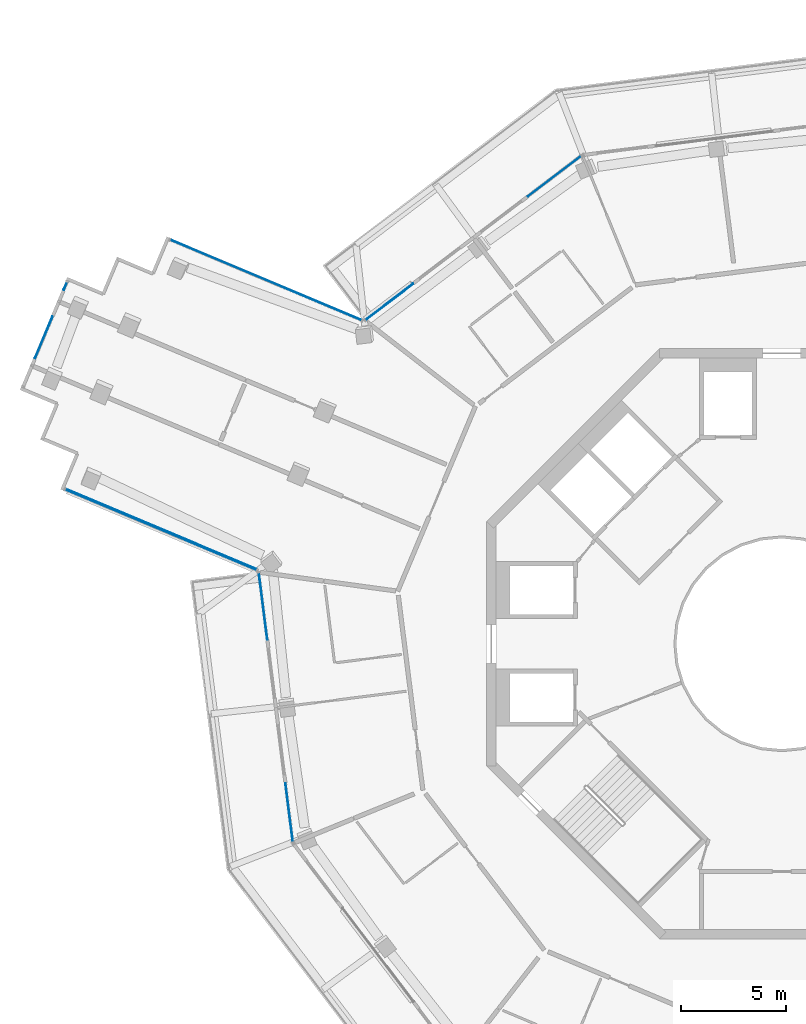
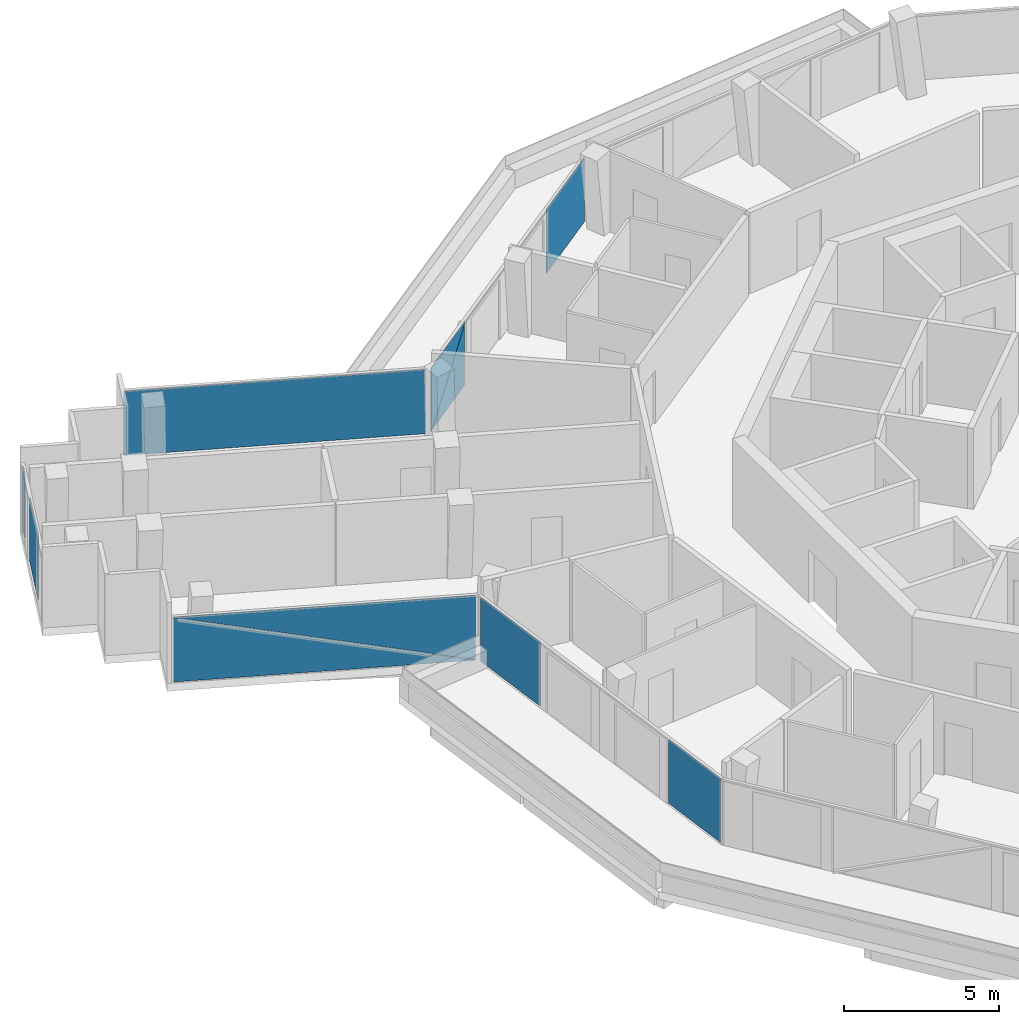
# One storey, part 14 of 26: 10 plates, 5 elements without a shape of their own.
"""IFC4 building model written with IfcOpenShell, lengths in metres."""

from ifc_helpers import new_model, si_unit, direction, frame, origin, origin_2d, place, context, subcontext, project, spatial, polyline, rectangle, outline, extrude, material, layer, layer_set, type_object, element, aggregate, save


model = new_model("IFC4")

# Units and contexts
model_context = context("Model", 3, precision=1e-05, world=origin(), true_north=direction((0.0, 1.0)))
body_context = subcontext(model_context, "Body", "Model", "MODEL_VIEW")
ifc_project = project(units=[si_unit("LENGTHUNIT", "METRE"), si_unit("AREAUNIT", "SQUARE_METRE"), si_unit("VOLUMEUNIT", "CUBIC_METRE"), si_unit("PLANEANGLEUNIT", "RADIAN"), si_unit("MASSUNIT", "GRAM", prefix="KILO")], contexts=[model_context])

# Site, building, storey
site_placement = place(None, origin())
site = spatial("IfcSite", under=ifc_project, at=site_placement, CompositionType="ELEMENT")
building_placement = place(site_placement, origin())
building = spatial("IfcBuilding", under=site, at=building_placement, Name="Verdalira Terraces Hotel", CompositionType="ELEMENT")
storey_placement = place(building_placement, frame((0.0, 0.0, 306.5)))
storey = spatial("IfcBuildingStorey", under=building, at=storey_placement, Name="L76", CompositionType="ELEMENT", Elevation=306.5)

# Curtain wall, plates
ifc_material_1 = material(Name="Clear glass", Category="glass")
ifc_layer_1 = layer(ifc_material_1, 0.14990234375)
ifc_layer_set_1 = layer_set([ifc_layer_1], Name="CW1 curtain wall")
curtain_wall_type_1 = type_object("IfcCurtainWallType", Name="CW1 curtain wall", PredefinedType="NOTDEFINED", material=ifc_layer_set_1)
curtain_wall_1_placement = place(storey_placement, origin())
curtain_wall_1 = element("IfcCurtainWall", 1, at=curtain_wall_1_placement, inside=storey, type_object=curtain_wall_type_1, Name="CW1 curtain wall L76 edge 11", PredefinedType="NOTDEFINED")
ifc_material_2 = material(Name="Clear glass", Category="glass")
ifc_layer_2 = layer(ifc_material_2, 0.028076171875)
ifc_layer_set_2 = layer_set([ifc_layer_2], Name="CW1 glass unit 28")
plate_type_1 = type_object("IfcPlateType", Name="CW1 glass unit 28", PredefinedType="CURTAIN_PANEL", material=ifc_layer_set_2)
plate_1_placement = place(storey_placement, frame((-24.599854, 1.775879, 0.0), z_axis=(0.0, 0.0, 1.0), x_axis=(0.125333234, -0.992114701, 0.0)))
plate_1 = element("IfcPlate", 2, at=plate_1_placement, type_object=plate_type_1, Name="CW1 glass unit", PredefinedType="CURTAIN_PANEL", context=body_context, shape_type="SweptSolid", body=[
    extrude(rectangle(XDim=3.189941, YDim=0.028076, at=origin_2d()), origin(), (0.0, 0.0, 1.0), 2.524902),
])
plate_2_placement = place(storey_placement, frame((-23.365234, -7.99707, 0.0), z_axis=(0.0, 0.0, 1.0), x_axis=(0.125333234, -0.992114701, 0.0)))
plate_2 = element("IfcPlate", 3, at=plate_2_placement, type_object=plate_type_1, Name="CW1 glass unit", PredefinedType="CURTAIN_PANEL", context=body_context, shape_type="SweptSolid", body=[
    extrude(rectangle(XDim=2.788574, YDim=0.028076, at=origin_2d()), origin(), (0.0, 0.0, 1.0), 2.524902),
])
aggregate(curtain_wall_1, [plate_1, plate_2])

curtain_wall_2_placement = place(storey_placement, origin())
curtain_wall_2 = element("IfcCurtainWall", 4, at=curtain_wall_2_placement, inside=storey, type_object=curtain_wall_type_1, Name="CW1 curtain wall L76 edge 41", PredefinedType="NOTDEFINED")
plate_3_placement = place(storey_placement, frame((-10.778076, 22.179932, 0.0), z_axis=(0.0, 0.0, 1.0), x_axis=(-0.796529918, -0.604599115, 0.0)))
plate_3 = element("IfcPlate", 5, at=plate_3_placement, type_object=plate_type_1, Name="CW1 glass unit", PredefinedType="CURTAIN_PANEL", context=body_context, shape_type="SweptSolid", body=[
    extrude(rectangle(XDim=3.149902, YDim=0.028076, at=origin_2d()), origin(), (0.0, 0.0, 1.0), 2.524902),
])
plate_4_placement = place(storey_placement, frame((-18.615723, 16.213135, 1.262451), z_axis=(-0.604599115, 0.796529918, 0.0), x_axis=(-0.796529918, -0.604599115, 0.0)))
plate_4 = element("IfcPlate", 6, at=plate_4_placement, type_object=plate_type_1, Name="CW1 glass unit", PredefinedType="CURTAIN_PANEL", context=body_context, shape_type="SweptSolid", body=[
    extrude(outline(polyline([(-1.414307, -1.262451), (1.414307, -1.262451), (-1.414307, 1.262451), (-1.414307, -1.262451)])), origin(), (0.0, 0.0, 1.0), 0.028076),
])
plate_5_placement = place(storey_placement, frame((-18.598145, 16.189941, 1.262451), z_axis=(-0.604599115, 0.796529918, 0.0), x_axis=(-0.796529918, -0.604599115, 0.0)))
plate_5 = element("IfcPlate", 7, at=plate_5_placement, type_object=plate_type_1, Name="CW1 glass unit", PredefinedType="CURTAIN_PANEL", context=body_context, shape_type="SweptSolid", body=[
    extrude(outline(polyline([(1.414307, -1.262451), (1.414307, 1.262451), (-1.414307, 1.262451), (1.414307, -1.262451)])), origin(), (0.0, 0.0, 1.0), 0.028076),
])
aggregate(curtain_wall_2, [plate_3, plate_4, plate_5])

# Curtain wall, plate
ifc_material_3 = material(Name="Clear glass", Category="glass")
ifc_layer_3 = layer(ifc_material_3, 0.14990234375)
ifc_layer_set_3 = layer_set([ifc_layer_3], Name="CW2 curtain wall")
curtain_wall_type_2 = type_object("IfcCurtainWallType", Name="CW2 curtain wall", PredefinedType="NOTDEFINED", material=ifc_layer_set_3)
curtain_wall_3_placement = place(storey_placement, origin())
curtain_wall_3 = element("IfcCurtainWall", 8, at=curtain_wall_3_placement, inside=storey, type_object=curtain_wall_type_2, Name="CW2 curtain wall L76 edge 0", PredefinedType="NOTDEFINED")
ifc_material_4 = material(Name="Clear glass", Category="glass")
ifc_layer_4 = layer(ifc_material_4, 0.031982421875)
ifc_layer_set_4 = layer_set([ifc_layer_4], Name="CW2 glass unit 32")
plate_type_2 = type_object("IfcPlateType", Name="CW2 glass unit 32", PredefinedType="CURTAIN_PANEL", material=ifc_layer_set_4)
plate_6_placement = place(storey_placement, frame((-24.467529, 17.254639, 0.0), z_axis=(0.0, 0.0, 1.0), x_axis=(-0.921863152, 0.387515586, 0.0)))
plate_6 = element("IfcPlate", 9, at=plate_6_placement, type_object=plate_type_2, Name="CW2 glass unit", PredefinedType="CURTAIN_PANEL", context=body_context, shape_type="SweptSolid", body=[
    extrude(rectangle(XDim=9.827637, YDim=0.031982, at=origin_2d()), origin(), (0.0, 0.0, 1.0), 2.524902),
])
aggregate(curtain_wall_3, [plate_6])

# Curtain wall, plates
curtain_wall_4_placement = place(storey_placement, origin())
curtain_wall_4 = element("IfcCurtainWall", 10, at=curtain_wall_4_placement, inside=storey, type_object=curtain_wall_type_2, Name="CW2 curtain wall L76 edge 10", PredefinedType="NOTDEFINED")
plate_7_placement = place(storey_placement, frame((-29.440918, 5.42334, 1.262451), z_axis=(-0.387515586, -0.921863152, 0.0), x_axis=(0.921863152, -0.387515586, 0.0)))
plate_7 = element("IfcPlate", 11, at=plate_7_placement, type_object=plate_type_2, Name="CW2 glass unit", PredefinedType="CURTAIN_PANEL", context=body_context, shape_type="SweptSolid", body=[
    extrude(outline(polyline([(-4.913818, -1.262451), (4.913818, -1.262451), (-4.913818, 1.262451), (-4.913818, -1.262451)])), origin(), (0.0, 0.0, 1.0), 0.031982),
])
plate_8_placement = place(storey_placement, frame((-29.427979, 5.453857, 1.262451), z_axis=(-0.387515586, -0.921863152, 0.0), x_axis=(0.921863152, -0.387515586, 0.0)))
plate_8 = element("IfcPlate", 12, at=plate_8_placement, type_object=plate_type_2, Name="CW2 glass unit", PredefinedType="CURTAIN_PANEL", context=body_context, shape_type="SweptSolid", body=[
    extrude(outline(polyline([(4.913818, -1.262451), (4.913818, 1.262451), (-4.913818, 1.262451), (4.913818, -1.262451)])), origin(), (0.0, 0.0, 1.0), 0.031982),
])
aggregate(curtain_wall_4, [plate_7, plate_8])

ifc_material_5 = material(Name="Clear glass", Category="glass")
ifc_layer_5 = layer(ifc_material_5, 0.14990234375)
ifc_layer_set_5 = layer_set([ifc_layer_5], Name="CW3 curtain wall")
curtain_wall_type_3 = type_object("IfcCurtainWallType", Name="CW3 curtain wall", PredefinedType="NOTDEFINED", material=ifc_layer_set_5)
curtain_wall_5_placement = place(storey_placement, origin())
curtain_wall_5 = element("IfcCurtainWall", 13, at=curtain_wall_5_placement, inside=storey, type_object=curtain_wall_type_3, Name="CW3 curtain wall L76 edge 5", PredefinedType="NOTDEFINED")
ifc_material_6 = material(Name="Clear glass", Category="glass")
ifc_layer_6 = layer(ifc_material_6, 0.035888671875)
ifc_layer_set_6 = layer_set([ifc_layer_6], Name="CW3 glass unit 36")
plate_type_3 = type_object("IfcPlateType", Name="CW3 glass unit 36", PredefinedType="CURTAIN_PANEL", material=ifc_layer_set_6)
plate_9_placement = place(storey_placement, frame((-33.982178, 16.964111, 0.0), z_axis=(0.0, 0.0, 1.0), x_axis=(-0.387515586, -0.921863152, 0.0)))
plate_9 = element("IfcPlate", 14, at=plate_9_placement, type_object=plate_type_3, Name="CW3 glass unit", PredefinedType="CURTAIN_PANEL", context=body_context, shape_type="SweptSolid", body=[
    extrude(rectangle(XDim=0.399902, YDim=0.035889, at=origin_2d()), origin(), (0.0, 0.0, 1.0), 2.524902),
])
plate_10_placement = place(storey_placement, frame((-35.012695, 14.512695, 0.0), z_axis=(0.0, 0.0, 1.0), x_axis=(-0.387515586, -0.921863152, 0.0)))
plate_10 = element("IfcPlate", 15, at=plate_10_placement, type_object=plate_type_3, Name="CW3 glass unit", PredefinedType="CURTAIN_PANEL", context=body_context, shape_type="SweptSolid", body=[
    extrude(rectangle(XDim=2.188965, YDim=0.035889, at=origin_2d()), origin(), (0.0, 0.0, 1.0), 2.524902),
])
aggregate(curtain_wall_5, [plate_9, plate_10])

save(model, "model.ifc")
